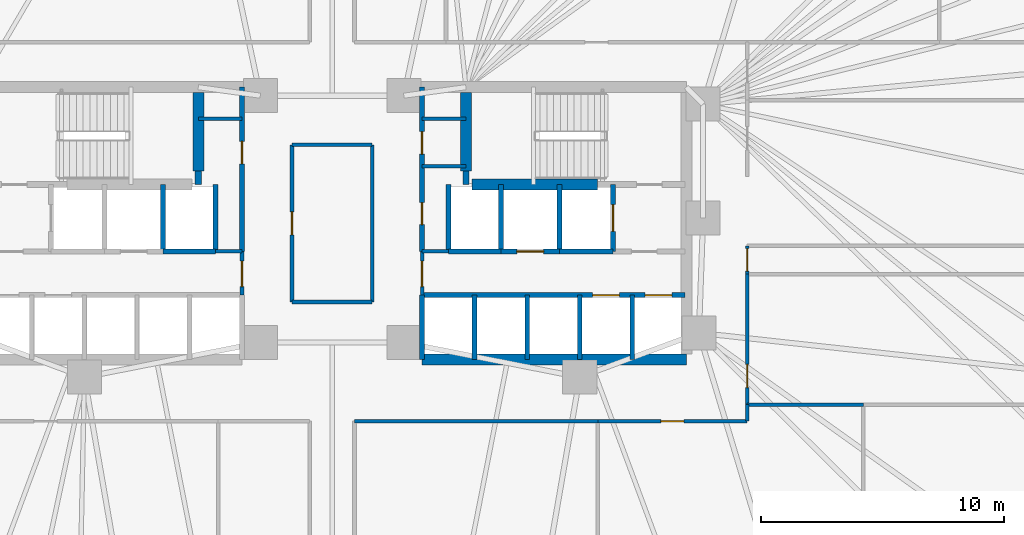
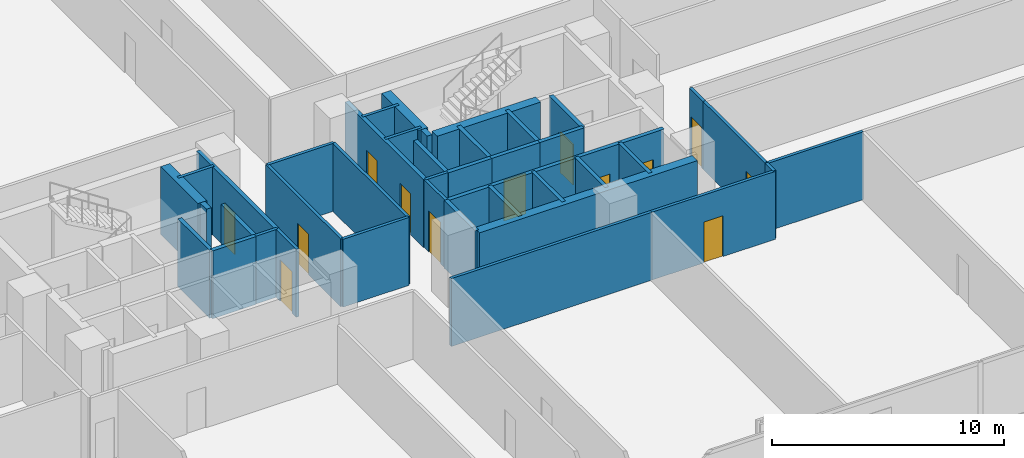
# One storey, part 13 of 17: 41 walls, 13 doors, 13 openings.
"""IFC4 building model written with IfcOpenShell, lengths in metres."""

from ifc_helpers import new_model, si_unit, direction, frame, frame_2d, origin, place, context, subcontext, project, spatial, rectangle, extrude, material, layer, layer_set, type_object, element, fill, save


model = new_model("IFC4")

# Units and contexts
model_context = context("Model", 3, precision=1e-05, world=origin(), true_north=direction((0.0, 1.0)))
body_context = subcontext(model_context, "Body", "Model", "MODEL_VIEW")
ifc_project = project(units=[si_unit("LENGTHUNIT", "METRE"), si_unit("AREAUNIT", "SQUARE_METRE"), si_unit("VOLUMEUNIT", "CUBIC_METRE"), si_unit("PLANEANGLEUNIT", "RADIAN"), si_unit("MASSUNIT", "GRAM", prefix="KILO")], contexts=[model_context])

# Site, building, storey
site_placement = place(None, origin())
site = spatial("IfcSite", under=ifc_project, at=site_placement, CompositionType="ELEMENT")
building_placement = place(site_placement, origin())
building = spatial("IfcBuilding", under=site, at=building_placement, Name="Menara Jurai Vektor", CompositionType="ELEMENT")
storey_placement = place(building_placement, frame((0.0, 0.0, 56.0)))
storey = spatial("IfcBuildingStorey", under=building, at=storey_placement, Name="L13", CompositionType="ELEMENT", Elevation=56.0)

# Walls
ifc_material_1 = material(Name="Concrete C40/50", Category="concrete")
ifc_layer_1 = layer(ifc_material_1, 0.25)
ifc_layer_set_1 = layer_set([ifc_layer_1], Name="Concrete C40/50")
wall_type_1 = type_object("IfcWallType", Name="INT-WALL-CORE-250", PredefinedType="STANDARD", material=ifc_layer_set_1)
for number, where, z_axis, x_axis, name in (
    (1, (-5.5, 1.60009765625, 0.0), (0.0, 0.0, 1.0), (0.0, 1.0, 0.0), "Interior Wall IW-250 L13"),
    (2, (5.5, 1.60009765625, 0.0), (0.0, 0.0, 1.0), (0.0, 1.0, 0.0), "Interior Wall IW-250 L13"),
):
    element("IfcWall", number, at=place(storey_placement, frame(where, z_axis=z_axis, x_axis=x_axis)), inside=storey, type_object=wall_type_1, Name=name, PredefinedType="STANDARD", context=body_context, shape_type="SweptSolid", body=[
        extrude(rectangle(XDim=0.5498046875, YDim=0.25, at=frame_2d((0.27490234375, 0.0))), origin(), (0.0, 0.0, 1.0), 3.574951171875),
    ])

# Wall, opening, door
wall_1_placement = place(storey_placement, frame((11.550048828125, -1.14990234375, 0.0), z_axis=(0.0, 0.0, 1.0), x_axis=(0.0, 1.0, 0.0)))
wall_1 = element("IfcWall", 3, at=wall_1_placement, inside=storey, type_object=wall_type_1, Name="Interior Wall IW-250 L13", PredefinedType="STANDARD", context=body_context, shape_type="SweptSolid", body=[
    extrude(rectangle(XDim=2.75, YDim=0.199951171875, at=frame_2d((1.375, 0.0))), origin(), (0.0, 0.0, 1.0), 3.574951171875),
])
opening_1_placement = place(wall_1_placement, frame((0.824951171875, 0.0, 0.0)))
opening_1 = element("IfcOpeningElement", 4, at=opening_1_placement, cuts=wall_1, Name="Opening LD-L13-FL2", PredefinedType="OPENING", context=body_context, shape_type="SweptSolid", body=[
    extrude(rectangle(XDim=1.10009765625, YDim=2.14990234375, at=frame_2d((0.550048828125, 1.074951171875))), frame((0.0, 0.10986328125, 0.0), z_axis=(0.0, -1.0, 0.0), x_axis=(1.0, 0.0, 0.0)), (0.0, 0.0, 1.0), 0.219970703125),
])
ifc_material_2 = material(Name="Stainless Steel Sliding Lift Landing Door", Category="steel")
door_type_1 = type_object("IfcDoorType", Name="DR-LIFT-FIRE-1100", OperationType="NOTDEFINED", PredefinedType="DOOR", material=ifc_material_2)
door_1_placement = place(opening_1_placement, origin())
door_1 = element("IfcDoor", 5, at=door_1_placement, inside=storey, type_object=door_type_1, Name="Lift Landing Door FL2 L13", OperationType="SLIDING_TO_RIGHT", OverallHeight=2.14990234375, OverallWidth=1.10009765625, PredefinedType="DOOR", context=body_context, shape_type="SweptSolid", body=[
    extrude(rectangle(XDim=1.10009765625, YDim=2.14990234375, at=frame_2d((0.550048828125, 1.074951171875))), frame((0.0, 0.02490234375, 0.0), z_axis=(0.0, -1.0, 0.0), x_axis=(1.0, 0.0, 0.0)), (0.0, 0.0, 1.0), 0.050048828125),
])
fill(opening_1, door_1)

# Walls
wall_2_placement = place(storey_placement, frame((9.35009765625, -1.14990234375, 0.0), z_axis=(0.0, 0.0, 1.0), x_axis=(0.0, 1.0, 0.0)))
element("IfcWall", 6, at=wall_2_placement, inside=storey, type_object=wall_type_1, Name="Interior Wall IW-250 L13", PredefinedType="STANDARD", context=body_context, shape_type="SweptSolid", body=[
    extrude(rectangle(XDim=2.75, YDim=0.199951171875, at=frame_2d((1.375, 0.0))), origin(), (0.0, 0.0, 1.0), 3.574951171875),
])
wall_3_placement = place(storey_placement, frame((9.35009765625, -1.14990234375, 0.0), z_axis=(0.0, 0.0, 1.0), x_axis=(1.0, 0.0, 0.0)))
element("IfcWall", 7, at=wall_3_placement, inside=storey, type_object=wall_type_1, Name="Interior Wall IW-250 L13", PredefinedType="STANDARD", context=body_context, shape_type="SweptSolid", body=[
    extrude(rectangle(XDim=2.199951171875, YDim=0.199951171875, at=frame_2d((1.10009765625, 0.0))), origin(), (0.0, 0.0, 1.0), 3.574951171875),
])

# Wall, opening, door
ifc_material_3 = material(Name="Gypsum Fireboard Partition", Category="gypsum")
ifc_layer_2 = layer(ifc_material_3, 0.14990234375)
ifc_layer_set_2 = layer_set([ifc_layer_2], Name="Gypsum Fireboard Partition")
wall_type_2 = type_object("IfcWallType", Name="INT-WALL-CORR-150", PredefinedType="PARTITIONING", material=ifc_layer_set_2)
wall_4_placement = place(storey_placement, frame((-3.699951171875, -2.949951171875, 0.0), z_axis=(0.0, 0.0, 1.0), x_axis=(0.0, 1.0, 0.0)))
wall_4 = element("IfcWall", 8, at=wall_4_placement, inside=storey, type_object=wall_type_2, Name="Interior Wall IW-150 L13", PredefinedType="PARTITIONING", context=body_context, shape_type="SweptSolid", body=[
    extrude(rectangle(XDim=1.800048828125, YDim=0.14990234375, at=frame_2d((0.89990234375, 0.0))), origin(), (0.0, 0.0, 1.0), 3.574951171875),
])
opening_2_placement = place(wall_4_placement, frame((0.35009765625, 0.0, 0.0)))
opening_2 = element("IfcOpeningElement", 9, at=opening_2_placement, cuts=wall_4, Name="Opening D-L13-LLW", PredefinedType="OPENING", context=body_context, shape_type="SweptSolid", body=[
    extrude(rectangle(XDim=1.050048828125, YDim=2.179931640625, at=frame_2d((0.52490234375, 1.08984375))), frame((0.0, 0.0849609375, 0.0), z_axis=(0.0, -1.0, 0.0), x_axis=(1.0, 0.0, 0.0)), (0.0, 0.0, 1.0), 0.169921875),
])
ifc_material_4 = material(Name="Fire-Rated Timber Door", Category="wood")
door_type_2 = type_object("IfcDoorType", Name="DR-LOBBY-1050", OperationType="NOTDEFINED", PredefinedType="DOOR", material=ifc_material_4)
door_2_placement = place(opening_2_placement, origin())
door_2 = element("IfcDoor", 10, at=door_2_placement, inside=storey, type_object=door_type_2, Name="Lift Lobby Corridor Door W L13", OperationType="SINGLE_SWING_LEFT", OverallHeight=2.179931640625, OverallWidth=1.050048828125, PredefinedType="DOOR", context=body_context, shape_type="SweptSolid", body=[
    extrude(rectangle(XDim=1.050048828125, YDim=2.179931640625, at=frame_2d((0.52490234375, 1.08984375))), frame((0.0, 0.02490234375, 0.0), z_axis=(0.0, -1.0, 0.0), x_axis=(1.0, 0.0, 0.0)), (0.0, 0.0, 1.0), 0.050048828125),
])
fill(opening_2, door_2)

# Wall
wall_5_placement = place(storey_placement, frame((-4.7900390625, -1.14990234375, 0.0), z_axis=(0.0, 0.0, 1.0), x_axis=(1.0, 0.0, 0.0)))
element("IfcWall", 11, at=wall_5_placement, inside=storey, type_object=wall_type_2, Name="Interior Wall IW-150 L13", PredefinedType="PARTITIONING", context=body_context, shape_type="SweptSolid", body=[
    extrude(rectangle(XDim=1.090087890625, YDim=0.14990234375, at=frame_2d((0.544921875, 0.0))), origin(), (0.0, 0.0, 1.0), 3.574951171875),
])

# Wall, opening, door
wall_6_placement = place(storey_placement, frame((3.699951171875, -2.949951171875, 0.0), z_axis=(0.0, 0.0, 1.0), x_axis=(0.0, 1.0, 0.0)))
wall_6 = element("IfcWall", 12, at=wall_6_placement, inside=storey, type_object=wall_type_2, Name="Interior Wall IW-150 L13", PredefinedType="PARTITIONING", context=body_context, shape_type="SweptSolid", body=[
    extrude(rectangle(XDim=1.800048828125, YDim=0.14990234375, at=frame_2d((0.89990234375, 0.0))), origin(), (0.0, 0.0, 1.0), 3.574951171875),
])
opening_3_placement = place(wall_6_placement, frame((0.35009765625, 0.0, 0.0)))
opening_3 = element("IfcOpeningElement", 13, at=opening_3_placement, cuts=wall_6, Name="Opening D-L13-LLE", PredefinedType="OPENING", context=body_context, shape_type="SweptSolid", body=[
    extrude(rectangle(XDim=1.050048828125, YDim=2.179931640625, at=frame_2d((0.52490234375, 1.08984375))), frame((0.0, 0.0849609375, 0.0), z_axis=(0.0, -1.0, 0.0), x_axis=(1.0, 0.0, 0.0)), (0.0, 0.0, 1.0), 0.169921875),
])
door_3_placement = place(opening_3_placement, frame((1.050048828125, 0.0, 0.0), z_axis=(0.0, 0.0, 1.0), x_axis=(-1.0, 0.0, 0.0)))
door_3 = element("IfcDoor", 14, at=door_3_placement, inside=storey, type_object=door_type_2, Name="Lift Lobby Corridor Door E L13", OperationType="SINGLE_SWING_RIGHT", OverallHeight=2.179931640625, OverallWidth=1.050048828125, PredefinedType="DOOR", context=body_context, shape_type="SweptSolid", body=[
    extrude(rectangle(XDim=1.050048828125, YDim=2.179931640625, at=frame_2d((0.52490234375, 1.08984375))), frame((0.0, 0.02490234375, 0.0), z_axis=(0.0, -1.0, 0.0), x_axis=(1.0, 0.0, 0.0)), (0.0, 0.0, 1.0), 0.050048828125),
])
fill(opening_3, door_3)

# Walls
wall_7_placement = place(storey_placement, frame((3.699951171875, -1.14990234375, 0.0), z_axis=(0.0, 0.0, 1.0), x_axis=(1.0, 0.0, 0.0)))
element("IfcWall", 15, at=wall_7_placement, inside=storey, type_object=wall_type_2, Name="Interior Wall IW-150 L13", PredefinedType="PARTITIONING", context=body_context, shape_type="SweptSolid", body=[
    extrude(rectangle(XDim=1.090087890625, YDim=0.14990234375, at=frame_2d((0.544921875, 0.0))), origin(), (0.0, 0.0, 1.0), 3.574951171875),
])
for number, where, z_axis, x_axis, name in (
    (16, (-5.5, 4.300048828125, 0.0), (0.0, 0.0, 1.0), (1.0, 0.0, 0.0), "Interior Wall IW-150 L13"),
    (17, (3.699951171875, 4.300048828125, 0.0), (0.0, 0.0, 1.0), (1.0, 0.0, 0.0), "Interior Wall IW-150 L13"),
    (18, (3.699951171875, 2.35009765625, 0.0), (0.0, 0.0, 1.0), (1.0, 0.0, 0.0), "Interior Wall IW-150 L13"),
):
    element("IfcWall", number, at=place(storey_placement, frame(where, z_axis=z_axis, x_axis=x_axis)), inside=storey, type_object=wall_type_2, Name=name, PredefinedType="PARTITIONING", context=body_context, shape_type="SweptSolid", body=[
        extrude(rectangle(XDim=1.800048828125, YDim=0.14990234375, at=frame_2d((0.89990234375, 0.0))), origin(), (0.0, 0.0, 1.0), 3.574951171875),
    ])

# Wall, opening, door
wall_8_placement = place(storey_placement, frame((-1.64990234375, -3.22998046875, 0.0), z_axis=(0.0, 0.0, 1.0), x_axis=(0.0, 1.0, 0.0)))
wall_8 = element("IfcWall", 19, at=wall_8_placement, inside=storey, type_object=wall_type_2, Name="Interior Wall IW-150 L13", PredefinedType="PARTITIONING", context=body_context, shape_type="SweptSolid", body=[
    extrude(rectangle(XDim=6.4599609375, YDim=0.14990234375, at=frame_2d((3.22998046875, 0.0))), origin(), (0.0, 0.0, 1.0), 3.574951171875),
])
opening_4_placement = place(wall_8_placement, frame((2.7548828125, 0.0, 0.0)))
opening_4 = element("IfcOpeningElement", 20, at=opening_4_placement, cuts=wall_8, Name="Opening D13-04", PredefinedType="OPENING", context=body_context, shape_type="SweptSolid", body=[
    extrude(rectangle(XDim=0.949951171875, YDim=2.14990234375, at=frame_2d((0.47509765625, 1.074951171875))), frame((0.0, 0.0849609375, 0.0), z_axis=(0.0, -1.0, 0.0), x_axis=(1.0, 0.0, 0.0)), (0.0, 0.0, 1.0), 0.169921875),
])
ifc_material_5 = material(Name="Solid Core Timber Fire Door", Category="wood")
door_type_3 = type_object("IfcDoorType", Name="DR-ENTRY-950", OperationType="NOTDEFINED", PredefinedType="DOOR", material=ifc_material_5)
door_4_placement = place(opening_4_placement, origin())
door_4 = element("IfcDoor", 21, at=door_4_placement, inside=storey, type_object=door_type_3, Name="Interior Door D13-04", OperationType="SINGLE_SWING_LEFT", OverallHeight=2.14990234375, OverallWidth=0.949951171875, PredefinedType="DOOR", context=body_context, shape_type="SweptSolid", body=[
    extrude(rectangle(XDim=0.949951171875, YDim=2.14990234375, at=frame_2d((0.47509765625, 1.074951171875))), frame((0.0, 0.02490234375, 0.0), z_axis=(0.0, -1.0, 0.0), x_axis=(1.0, 0.0, 0.0)), (0.0, 0.0, 1.0), 0.050048828125),
])
fill(opening_4, door_4)

# Walls
for number, where, z_axis, x_axis, name in (
    (22, (-1.64990234375, -3.22998046875, 0.0), (0.0, 0.0, 1.0), (1.0, 0.0, 0.0), "Interior Wall IW-150 L13"),
    (23, (-1.64990234375, 3.22998046875, 0.0), (0.0, 0.0, 1.0), (1.0, 0.0, 0.0), "Interior Wall IW-150 L13"),
):
    element("IfcWall", number, at=place(storey_placement, frame(where, z_axis=z_axis, x_axis=x_axis)), inside=storey, type_object=wall_type_2, Name=name, PredefinedType="PARTITIONING", context=body_context, shape_type="SweptSolid", body=[
        extrude(rectangle(XDim=3.2998046875, YDim=0.14990234375, at=frame_2d((1.64990234375, 0.0))), origin(), (0.0, 0.0, 1.0), 3.574951171875),
    ])
wall_9_placement = place(storey_placement, frame((1.64990234375, -3.22998046875, 0.0), z_axis=(0.0, 0.0, 1.0), x_axis=(0.0, 1.0, 0.0)))
element("IfcWall", 24, at=wall_9_placement, inside=storey, type_object=wall_type_2, Name="Interior Wall IW-150 L13", PredefinedType="PARTITIONING", context=body_context, shape_type="SweptSolid", body=[
    extrude(rectangle(XDim=6.4599609375, YDim=0.14990234375, at=frame_2d((3.22998046875, 0.0))), origin(), (0.0, 0.0, 1.0), 3.574951171875),
])
wall_10_placement = place(storey_placement, frame((0.919921875, -8.1298828125, 0.0), z_axis=(0.0, 0.0, 1.0), x_axis=(1.0, 0.0, 0.0)))
element("IfcWall", 25, at=wall_10_placement, inside=storey, type_object=wall_type_2, Name="Interior Wall IW-150 L13", PredefinedType="PARTITIONING", context=body_context, shape_type="SweptSolid", body=[
    extrude(rectangle(XDim=10.0, YDim=0.14990234375, at=frame_2d((5.0, 0.0))), origin(), (0.0, 0.0, 1.0), 3.574951171875),
])

# Wall, opening, door
wall_11_placement = place(storey_placement, frame((10.919921875, -8.1298828125, 0.0), z_axis=(0.0, 0.0, 1.0), x_axis=(1.0, 0.0, 0.0)))
wall_11 = element("IfcWall", 26, at=wall_11_placement, inside=storey, type_object=wall_type_2, Name="Interior Wall IW-150 L13", PredefinedType="PARTITIONING", context=body_context, shape_type="SweptSolid", body=[
    extrude(rectangle(XDim=6.13916015625, YDim=0.14990234375, at=frame_2d((3.069580078125, 0.0))), origin(), (0.0, 0.0, 1.0), 3.574951171875),
])
opening_5_placement = place(wall_11_placement, frame((2.594482421875, 0.0, 0.0)))
opening_5 = element("IfcOpeningElement", 27, at=opening_5_placement, cuts=wall_11, Name="Opening D13-12", PredefinedType="OPENING", context=body_context, shape_type="SweptSolid", body=[
    extrude(rectangle(XDim=0.949951171875, YDim=2.14990234375, at=frame_2d((0.47509765625, 1.074951171875))), frame((0.0, 0.0849609375, 0.0), z_axis=(0.0, -1.0, 0.0), x_axis=(1.0, 0.0, 0.0)), (0.0, 0.0, 1.0), 0.169921875),
])
door_5_placement = place(opening_5_placement, origin())
door_5 = element("IfcDoor", 28, at=door_5_placement, inside=storey, type_object=door_type_3, Name="Interior Door D13-12", OperationType="SINGLE_SWING_LEFT", OverallHeight=2.14990234375, OverallWidth=0.949951171875, PredefinedType="DOOR", context=body_context, shape_type="SweptSolid", body=[
    extrude(rectangle(XDim=0.949951171875, YDim=2.14990234375, at=frame_2d((0.47509765625, 1.074951171875))), frame((0.0, 0.02490234375, 0.0), z_axis=(0.0, -1.0, 0.0), x_axis=(1.0, 0.0, 0.0)), (0.0, 0.0, 1.0), 0.050048828125),
])
fill(opening_5, door_5)

# Wall
wall_12_placement = place(storey_placement, frame((17.05908203125, -8.1298828125, 0.0), z_axis=(0.0, 0.0, 1.0), x_axis=(0.0, 1.0, 0.0)))
element("IfcWall", 29, at=wall_12_placement, inside=storey, type_object=wall_type_2, Name="Interior Wall IW-150 L13", PredefinedType="PARTITIONING", context=body_context, shape_type="SweptSolid", body=[
    extrude(rectangle(XDim=0.679931640625, YDim=0.14990234375, at=frame_2d((0.33984375, 0.0))), origin(), (0.0, 0.0, 1.0), 3.574951171875),
])

# Wall, opening, door
wall_13_placement = place(storey_placement, frame((17.05908203125, -7.449951171875, 0.0), z_axis=(0.0, 0.0, 1.0), x_axis=(0.0, 1.0, 0.0)))
wall_13 = element("IfcWall", 30, at=wall_13_placement, inside=storey, type_object=wall_type_2, Name="Interior Wall IW-150 L13", PredefinedType="PARTITIONING", context=body_context, shape_type="SweptSolid", body=[
    extrude(rectangle(XDim=5.364013671875, YDim=0.14990234375, at=frame_2d((2.68212890625, 0.0))), origin(), (0.0, 0.0, 1.0), 3.574951171875),
])
opening_6_placement = place(wall_13_placement, frame((0.705078125, 0.0, 0.0)))
opening_6 = element("IfcOpeningElement", 31, at=opening_6_placement, cuts=wall_13, Name="Opening D13-16", PredefinedType="OPENING", context=body_context, shape_type="SweptSolid", body=[
    extrude(rectangle(XDim=0.949951171875, YDim=2.14990234375, at=frame_2d((0.47509765625, 1.074951171875))), frame((0.0, 0.0849609375, 0.0), z_axis=(0.0, -1.0, 0.0), x_axis=(1.0, 0.0, 0.0)), (0.0, 0.0, 1.0), 0.169921875),
])
door_6_placement = place(opening_6_placement, origin())
door_6 = element("IfcDoor", 32, at=door_6_placement, inside=storey, type_object=door_type_3, Name="Interior Door D13-16", OperationType="SINGLE_SWING_LEFT", OverallHeight=2.14990234375, OverallWidth=0.949951171875, PredefinedType="DOOR", context=body_context, shape_type="SweptSolid", body=[
    extrude(rectangle(XDim=0.949951171875, YDim=2.14990234375, at=frame_2d((0.47509765625, 1.074951171875))), frame((0.0, 0.02490234375, 0.0), z_axis=(0.0, -1.0, 0.0), x_axis=(1.0, 0.0, 0.0)), (0.0, 0.0, 1.0), 0.050048828125),
])
fill(opening_6, door_6)

wall_14_placement = place(storey_placement, frame((17.05908203125, -2.0859375, 0.0), z_axis=(0.0, 0.0, 1.0), x_axis=(0.0, 1.0, 0.0)))
wall_14 = element("IfcWall", 33, at=wall_14_placement, inside=storey, type_object=wall_type_2, Name="Interior Wall IW-150 L13", PredefinedType="PARTITIONING", context=body_context, shape_type="SweptSolid", body=[
    extrude(rectangle(XDim=1.166015625, YDim=0.14990234375, at=frame_2d((0.5830078125, 0.0))), origin(), (0.0, 0.0, 1.0), 3.574951171875),
])
opening_7_placement = place(wall_14_placement, frame((0.1201171875, 0.0, 0.0)))
opening_7 = element("IfcOpeningElement", 34, at=opening_7_placement, cuts=wall_14, Name="Opening D13-17", PredefinedType="OPENING", context=body_context, shape_type="SweptSolid", body=[
    extrude(rectangle(XDim=0.926025390625, YDim=2.14990234375, at=frame_2d((0.462890625, 1.074951171875))), frame((0.0, 0.0849609375, 0.0), z_axis=(0.0, -1.0, 0.0), x_axis=(1.0, 0.0, 0.0)), (0.0, 0.0, 1.0), 0.169921875),
])
door_7_placement = place(opening_7_placement, origin())
door_7 = element("IfcDoor", 35, at=door_7_placement, inside=storey, type_object=door_type_3, Name="Interior Door D13-17", OperationType="SINGLE_SWING_RIGHT", OverallHeight=2.14990234375, OverallWidth=0.926025390625, PredefinedType="DOOR", context=body_context, shape_type="SweptSolid", body=[
    extrude(rectangle(XDim=0.926025390625, YDim=2.14990234375, at=frame_2d((0.462890625, 1.074951171875))), frame((0.0, 0.02490234375, 0.0), z_axis=(0.0, -1.0, 0.0), x_axis=(1.0, 0.0, 0.0)), (0.0, 0.0, 1.0), 0.050048828125),
])
fill(opening_7, door_7)

# Wall
wall_15_placement = place(storey_placement, frame((17.05908203125, -7.449951171875, 0.0), z_axis=(0.0, 0.0, 1.0), x_axis=(1.0, 0.0, 0.0)))
element("IfcWall", 36, at=wall_15_placement, inside=storey, type_object=wall_type_2, Name="Interior Wall IW-150 L13", PredefinedType="PARTITIONING", context=body_context, shape_type="SweptSolid", body=[
    extrude(rectangle(XDim=4.781005859375, YDim=0.14990234375, at=frame_2d((2.390625, 0.0))), origin(), (0.0, 0.0, 1.0), 3.574951171875),
])

# Wall, opening, door
ifc_layer_3 = layer(ifc_material_1, 0.199951171875)
ifc_layer_set_3 = layer_set([ifc_layer_3], Name="Concrete C40/50")
wall_type_3 = type_object("IfcWallType", Name="INT-WALL-SHAFT-200", PredefinedType="STANDARD", material=ifc_layer_set_3)
wall_16_placement = place(storey_placement, frame((-3.699951171875, -1.14990234375, 0.0), z_axis=(0.0, 0.0, 1.0), x_axis=(0.0, 1.0, 0.0)))
wall_16 = element("IfcWall", 37, at=wall_16_placement, inside=storey, type_object=wall_type_3, Name="Interior Wall IW-200 L13", PredefinedType="STANDARD", context=body_context, shape_type="SweptSolid", body=[
    extrude(rectangle(XDim=6.75, YDim=0.199951171875, at=frame_2d((3.375, 0.0))), origin(), (0.0, 0.0, 1.0), 3.574951171875),
])
opening_8_placement = place(wall_16_placement, frame((3.60009765625, 0.0, 0.0)))
opening_8 = element("IfcOpeningElement", 38, at=opening_8_placement, cuts=wall_16, Name="Opening D13-01", PredefinedType="OPENING", context=body_context, shape_type="SweptSolid", body=[
    extrude(rectangle(XDim=0.919921875, YDim=2.14990234375, at=frame_2d((0.4599609375, 1.074951171875))), frame((0.0, 0.10986328125, 0.0), z_axis=(0.0, -1.0, 0.0), x_axis=(1.0, 0.0, 0.0)), (0.0, 0.0, 1.0), 0.219970703125),
])
door_8_placement = place(opening_8_placement, origin())
door_8 = element("IfcDoor", 39, at=door_8_placement, inside=storey, type_object=door_type_3, Name="Interior Door D13-01", OperationType="SINGLE_SWING_LEFT", OverallHeight=2.14990234375, OverallWidth=0.919921875, PredefinedType="DOOR", context=body_context, shape_type="SweptSolid", body=[
    extrude(rectangle(XDim=0.919921875, YDim=2.14990234375, at=frame_2d((0.4599609375, 1.074951171875))), frame((0.0, 0.02490234375, 0.0), z_axis=(0.0, -1.0, 0.0), x_axis=(1.0, 0.0, 0.0)), (0.0, 0.0, 1.0), 0.050048828125),
])
fill(opening_8, door_8)

# Walls
for number, where, z_axis, x_axis, name in (
    (40, (-6.949951171875, -1.14990234375, 0.0), (0.0, 0.0, 1.0), (0.0, 1.0, 0.0), "Interior Wall IW-200 L13"),
    (41, (-4.7900390625, -1.14990234375, 0.0), (0.0, 0.0, 1.0), (0.0, 1.0, 0.0), "Interior Wall IW-200 L13"),
):
    element("IfcWall", number, at=place(storey_placement, frame(where, z_axis=z_axis, x_axis=x_axis)), inside=storey, type_object=wall_type_3, Name=name, PredefinedType="STANDARD", context=body_context, shape_type="SweptSolid", body=[
        extrude(rectangle(XDim=2.75, YDim=0.199951171875, at=frame_2d((1.375, 0.0))), origin(), (0.0, 0.0, 1.0), 3.574951171875),
    ])
wall_17_placement = place(storey_placement, frame((-6.949951171875, -1.14990234375, 0.0), z_axis=(0.0, 0.0, 1.0), x_axis=(1.0, 0.0, 0.0)))
element("IfcWall", 42, at=wall_17_placement, inside=storey, type_object=wall_type_3, Name="Interior Wall IW-200 L13", PredefinedType="STANDARD", context=body_context, shape_type="SweptSolid", body=[
    extrude(rectangle(XDim=2.159912109375, YDim=0.199951171875, at=frame_2d((1.080078125, 0.0))), origin(), (0.0, 0.0, 1.0), 3.574951171875),
])

# Wall, openings, doors
wall_18_placement = place(storey_placement, frame((3.699951171875, -1.14990234375, 0.0), z_axis=(0.0, 0.0, 1.0), x_axis=(0.0, 1.0, 0.0)))
wall_18 = element("IfcWall", 43, at=wall_18_placement, inside=storey, type_object=wall_type_3, Name="Interior Wall IW-200 L13", PredefinedType="STANDARD", context=body_context, shape_type="SweptSolid", body=[
    extrude(rectangle(XDim=6.75, YDim=0.199951171875, at=frame_2d((3.375, 0.0))), origin(), (0.0, 0.0, 1.0), 3.574951171875),
])
opening_9_placement = place(wall_18_placement, frame((1.10009765625, 0.0, 0.0)))
opening_9 = element("IfcOpeningElement", 44, at=opening_9_placement, cuts=wall_18, Name="Opening D13-02", PredefinedType="OPENING", context=body_context, shape_type="SweptSolid", body=[
    extrude(rectangle(XDim=0.89990234375, YDim=2.14990234375, at=frame_2d((0.449951171875, 1.074951171875))), frame((0.0, 0.10986328125, 0.0), z_axis=(0.0, -1.0, 0.0), x_axis=(1.0, 0.0, 0.0)), (0.0, 0.0, 1.0), 0.219970703125),
])
opening_10_placement = place(wall_18_placement, frame((4.0, 0.0, 0.0)))
opening_10 = element("IfcOpeningElement", 45, at=opening_10_placement, cuts=wall_18, Name="Opening D13-03", PredefinedType="OPENING", context=body_context, shape_type="SweptSolid", body=[
    extrude(rectangle(XDim=0.919921875, YDim=2.14990234375, at=frame_2d((0.4599609375, 1.074951171875))), frame((0.0, 0.10986328125, 0.0), z_axis=(0.0, -1.0, 0.0), x_axis=(1.0, 0.0, 0.0)), (0.0, 0.0, 1.0), 0.219970703125),
])
door_9_placement = place(opening_9_placement, origin())
door_9 = element("IfcDoor", 46, at=door_9_placement, inside=storey, type_object=door_type_3, Name="Interior Door D13-02", OperationType="SINGLE_SWING_RIGHT", OverallHeight=2.14990234375, OverallWidth=0.89990234375, PredefinedType="DOOR", context=body_context, shape_type="SweptSolid", body=[
    extrude(rectangle(XDim=0.89990234375, YDim=2.14990234375, at=frame_2d((0.449951171875, 1.074951171875))), frame((0.0, 0.02490234375, 0.0), z_axis=(0.0, -1.0, 0.0), x_axis=(1.0, 0.0, 0.0)), (0.0, 0.0, 1.0), 0.050048828125),
])
fill(opening_9, door_9)
door_10_placement = place(opening_10_placement, origin())
door_10 = element("IfcDoor", 47, at=door_10_placement, inside=storey, type_object=door_type_3, Name="Interior Door D13-03", OperationType="SINGLE_SWING_RIGHT", OverallHeight=2.14990234375, OverallWidth=0.919921875, PredefinedType="DOOR", context=body_context, shape_type="SweptSolid", body=[
    extrude(rectangle(XDim=0.919921875, YDim=2.14990234375, at=frame_2d((0.4599609375, 1.074951171875))), frame((0.0, 0.02490234375, 0.0), z_axis=(0.0, -1.0, 0.0), x_axis=(1.0, 0.0, 0.0)), (0.0, 0.0, 1.0), 0.050048828125),
])
fill(opening_10, door_10)

# Walls
wall_19_placement = place(storey_placement, frame((3.699951171875, -5.60009765625, 0.0), z_axis=(0.0, 0.0, 1.0), x_axis=(0.0, 1.0, 0.0)))
element("IfcWall", 48, at=wall_19_placement, inside=storey, type_object=wall_type_3, Name="Interior Wall IW-200 L13", PredefinedType="STANDARD", context=body_context, shape_type="SweptSolid", body=[
    extrude(rectangle(XDim=2.650146484375, YDim=0.199951171875, at=frame_2d((1.3251953125, 0.0))), origin(), (0.0, 0.0, 1.0), 3.574951171875),
])
wall_20_placement = place(storey_placement, frame((6.949951171875, -1.14990234375, 0.0), z_axis=(0.0, 0.0, 1.0), x_axis=(0.0, 1.0, 0.0)))
element("IfcWall", 49, at=wall_20_placement, inside=storey, type_object=wall_type_3, Name="Interior Wall IW-200 L13", PredefinedType="STANDARD", context=body_context, shape_type="SweptSolid", body=[
    extrude(rectangle(XDim=2.75, YDim=0.199951171875, at=frame_2d((1.375, 0.0))), origin(), (0.0, 0.0, 1.0), 3.574951171875),
])

# Wall, opening, door
wall_21_placement = place(storey_placement, frame((6.949951171875, -1.14990234375, 0.0), z_axis=(0.0, 0.0, 1.0), x_axis=(1.0, 0.0, 0.0)))
wall_21 = element("IfcWall", 50, at=wall_21_placement, inside=storey, type_object=wall_type_3, Name="Interior Wall IW-200 L13", PredefinedType="STANDARD", context=body_context, shape_type="SweptSolid", body=[
    extrude(rectangle(XDim=2.400146484375, YDim=0.199951171875, at=frame_2d((1.2001953125, 0.0))), origin(), (0.0, 0.0, 1.0), 3.574951171875),
])
opening_11_placement = place(wall_21_placement, frame((0.64990234375, 0.0, 0.0)))
opening_11 = element("IfcOpeningElement", 51, at=opening_11_placement, cuts=wall_21, Name="Opening LD-L13-SVL2", PredefinedType="OPENING", context=body_context, shape_type="SweptSolid", body=[
    extrude(rectangle(XDim=1.10009765625, YDim=2.14990234375, at=frame_2d((0.550048828125, 1.074951171875))), frame((0.0, 0.10986328125, 0.0), z_axis=(0.0, -1.0, 0.0), x_axis=(1.0, 0.0, 0.0)), (0.0, 0.0, 1.0), 0.219970703125),
])
ifc_material_6 = material(Name="Anodised Stainless Sliding Lift Landing Door", Category="steel")
door_type_4 = type_object("IfcDoorType", Name="DR-LIFT-PASS-1100", OperationType="NOTDEFINED", PredefinedType="DOOR", material=ifc_material_6)
door_11_placement = place(opening_11_placement, origin())
door_11 = element("IfcDoor", 52, at=door_11_placement, inside=storey, type_object=door_type_4, Name="Lift Landing Door SVL2 L13", OperationType="SLIDING_TO_RIGHT", OverallHeight=2.14990234375, OverallWidth=1.10009765625, PredefinedType="DOOR", context=body_context, shape_type="SweptSolid", body=[
    extrude(rectangle(XDim=1.10009765625, YDim=2.14990234375, at=frame_2d((0.550048828125, 1.074951171875))), frame((0.0, 0.02490234375, 0.0), z_axis=(0.0, -1.0, 0.0), x_axis=(1.0, 0.0, 0.0)), (0.0, 0.0, 1.0), 0.050048828125),
])
fill(opening_11, door_11)

# Walls
wall_22_placement = place(storey_placement, frame((4.7900390625, -1.14990234375, 0.0), z_axis=(0.0, 0.0, 1.0), x_axis=(0.0, 1.0, 0.0)))
element("IfcWall", 53, at=wall_22_placement, inside=storey, type_object=wall_type_3, Name="Interior Wall IW-200 L13", PredefinedType="STANDARD", context=body_context, shape_type="SweptSolid", body=[
    extrude(rectangle(XDim=2.75, YDim=0.199951171875, at=frame_2d((1.375, 0.0))), origin(), (0.0, 0.0, 1.0), 3.574951171875),
])
wall_23_placement = place(storey_placement, frame((4.7900390625, -1.14990234375, 0.0), z_axis=(0.0, 0.0, 1.0), x_axis=(1.0, 0.0, 0.0)))
element("IfcWall", 54, at=wall_23_placement, inside=storey, type_object=wall_type_3, Name="Interior Wall IW-200 L13", PredefinedType="STANDARD", context=body_context, shape_type="SweptSolid", body=[
    extrude(rectangle(XDim=2.159912109375, YDim=0.199951171875, at=frame_2d((1.080078125, 0.0))), origin(), (0.0, 0.0, 1.0), 3.574951171875),
])

# Wall, openings, doors
wall_24_placement = place(storey_placement, frame((3.699951171875, -2.949951171875, 0.0), z_axis=(0.0, 0.0, 1.0), x_axis=(1.0, 0.0, 0.0)))
wall_24 = element("IfcWall", 55, at=wall_24_placement, inside=storey, type_object=wall_type_3, Name="Interior Wall IW-200 L13", PredefinedType="STANDARD", context=body_context, shape_type="SweptSolid", body=[
    extrude(rectangle(XDim=10.800048828125, YDim=0.199951171875, at=frame_2d((5.39990234375, 0.0))), origin(), (0.0, 0.0, 1.0), 3.574951171875),
])
opening_12_placement = place(wall_24_placement, frame((7.010009765625, 0.0, 0.0)))
opening_12 = element("IfcOpeningElement", 56, at=opening_12_placement, cuts=wall_24, Name="Opening LD-L13-PL3", PredefinedType="OPENING", context=body_context, shape_type="SweptSolid", body=[
    extrude(rectangle(XDim=1.10009765625, YDim=2.14990234375, at=frame_2d((0.550048828125, 1.074951171875))), frame((0.0, 0.10986328125, 0.0), z_axis=(0.0, -1.0, 0.0), x_axis=(1.0, 0.0, 0.0)), (0.0, 0.0, 1.0), 0.219970703125),
])
opening_13_placement = place(wall_24_placement, frame((9.169921875, 0.0, 0.0)))
opening_13 = element("IfcOpeningElement", 57, at=opening_13_placement, cuts=wall_24, Name="Opening LD-L13-PL4", PredefinedType="OPENING", context=body_context, shape_type="SweptSolid", body=[
    extrude(rectangle(XDim=1.10009765625, YDim=2.14990234375, at=frame_2d((0.550048828125, 1.074951171875))), frame((0.0, 0.10986328125, 0.0), z_axis=(0.0, -1.0, 0.0), x_axis=(1.0, 0.0, 0.0)), (0.0, 0.0, 1.0), 0.219970703125),
])
door_12_placement = place(opening_12_placement, origin())
door_12 = element("IfcDoor", 58, at=door_12_placement, inside=storey, type_object=door_type_4, Name="Lift Landing Door PL3 L13", OperationType="SLIDING_TO_RIGHT", OverallHeight=2.14990234375, OverallWidth=1.10009765625, PredefinedType="DOOR", context=body_context, shape_type="SweptSolid", body=[
    extrude(rectangle(XDim=1.10009765625, YDim=2.14990234375, at=frame_2d((0.550048828125, 1.074951171875))), frame((0.0, 0.02490234375, 0.0), z_axis=(0.0, -1.0, 0.0), x_axis=(1.0, 0.0, 0.0)), (0.0, 0.0, 1.0), 0.050048828125),
])
fill(opening_12, door_12)
door_13_placement = place(opening_13_placement, origin())
door_13 = element("IfcDoor", 59, at=door_13_placement, inside=storey, type_object=door_type_4, Name="Lift Landing Door PL4 L13", OperationType="SLIDING_TO_LEFT", OverallHeight=2.14990234375, OverallWidth=1.10009765625, PredefinedType="DOOR", context=body_context, shape_type="SweptSolid", body=[
    extrude(rectangle(XDim=1.10009765625, YDim=2.14990234375, at=frame_2d((0.550048828125, 1.074951171875))), frame((0.0, 0.02490234375, 0.0), z_axis=(0.0, -1.0, 0.0), x_axis=(1.0, 0.0, 0.0)), (0.0, 0.0, 1.0), 0.050048828125),
])
fill(opening_13, door_13)

# Walls
wall_25_placement = place(storey_placement, frame((5.860107421875, -5.60009765625, 0.0), z_axis=(0.0, 0.0, 1.0), x_axis=(0.0, 1.0, 0.0)))
element("IfcWall", 60, at=wall_25_placement, inside=storey, type_object=wall_type_3, Name="Interior Wall IW-200 L13", PredefinedType="STANDARD", context=body_context, shape_type="SweptSolid", body=[
    extrude(rectangle(XDim=2.650146484375, YDim=0.199951171875, at=frame_2d((1.3251953125, 0.0))), origin(), (0.0, 0.0, 1.0), 3.574951171875),
])
for number, where, z_axis, x_axis, name in (
    (61, (12.340087890625, -5.60009765625, 0.0), (0.0, 0.0, 1.0), (0.0, 1.0, 0.0), "Interior Wall IW-200 L13"),
    (62, (10.179931640625, -5.60009765625, 0.0), (0.0, 0.0, 1.0), (0.0, 1.0, 0.0), "Interior Wall IW-200 L13"),
    (63, (8.02001953125, -5.60009765625, 0.0), (0.0, 0.0, 1.0), (0.0, 1.0, 0.0), "Interior Wall IW-200 L13"),
):
    element("IfcWall", number, at=place(storey_placement, frame(where, z_axis=z_axis, x_axis=x_axis)), inside=storey, type_object=wall_type_3, Name=name, PredefinedType="STANDARD", context=body_context, shape_type="SweptSolid", body=[
        extrude(rectangle(XDim=2.650146484375, YDim=0.179931640625, at=frame_2d((1.3251953125, 0.0))), origin(), (0.0, 0.0, 1.0), 3.574951171875),
    ])
ifc_material_7 = material(Name="Concrete C60/75", Category="concrete")
ifc_layer_4 = layer(ifc_material_7, 0.449951171875)
ifc_layer_set_4 = layer_set([ifc_layer_4], Name="Concrete C60/75")
wall_type_4 = type_object("IfcWallType", Name="STR-WALL-CORE450", PredefinedType="SHEAR", material=ifc_layer_set_4)
wall_26_placement = place(storey_placement, frame((-5.5, 2.14990234375, 0.0), z_axis=(0.0, 0.0, 1.0), x_axis=(0.0, 1.0, 0.0)))
element("IfcWall", 64, at=wall_26_placement, inside=storey, type_object=wall_type_4, Name="Core Shear Wall CW-W-ST L13", PredefinedType="SHEAR", context=body_context, shape_type="SweptSolid", body=[
    extrude(rectangle(XDim=3.22509765625, YDim=0.449951171875, at=frame_2d((1.612548828125, 0.0))), origin(), (0.0, 0.0, 1.0), 3.574951171875),
])
wall_27_placement = place(storey_placement, frame((3.699951171875, -5.60009765625, 0.0), z_axis=(0.0, 0.0, 1.0), x_axis=(1.0, 0.0, 0.0)))
element("IfcWall", 65, at=wall_27_placement, inside=storey, type_object=wall_type_4, Name="Core Shear Wall CW-E-S L13", PredefinedType="SHEAR", context=body_context, shape_type="SweptSolid", body=[
    extrude(rectangle(XDim=10.860107421875, YDim=0.449951171875, at=frame_2d((5.43017578125, 0.0))), origin(), (0.0, 0.0, 1.0), 3.574951171875),
])
wall_28_placement = place(storey_placement, frame((5.5, 2.14990234375, 0.0), z_axis=(0.0, 0.0, 1.0), x_axis=(0.0, 1.0, 0.0)))
element("IfcWall", 66, at=wall_28_placement, inside=storey, type_object=wall_type_4, Name="Core Shear Wall CW-E-ST L13", PredefinedType="SHEAR", context=body_context, shape_type="SweptSolid", body=[
    extrude(rectangle(XDim=3.22509765625, YDim=0.449951171875, at=frame_2d((1.612548828125, 0.0))), origin(), (0.0, 0.0, 1.0), 3.574951171875),
])
wall_29_placement = place(storey_placement, frame((5.75, 1.60009765625, 0.0), z_axis=(0.0, 0.0, 1.0), x_axis=(1.0, 0.0, 0.0)))
element("IfcWall", 67, at=wall_29_placement, inside=storey, type_object=wall_type_4, Name="Core Shear Wall CW-E-STS L13", PredefinedType="SHEAR", context=body_context, shape_type="SweptSolid", body=[
    extrude(rectangle(XDim=5.14990234375, YDim=0.449951171875, at=frame_2d((2.574951171875, 0.0))), origin(), (0.0, 0.0, 1.0), 3.574951171875),
])

save(model, "model.ifc")
